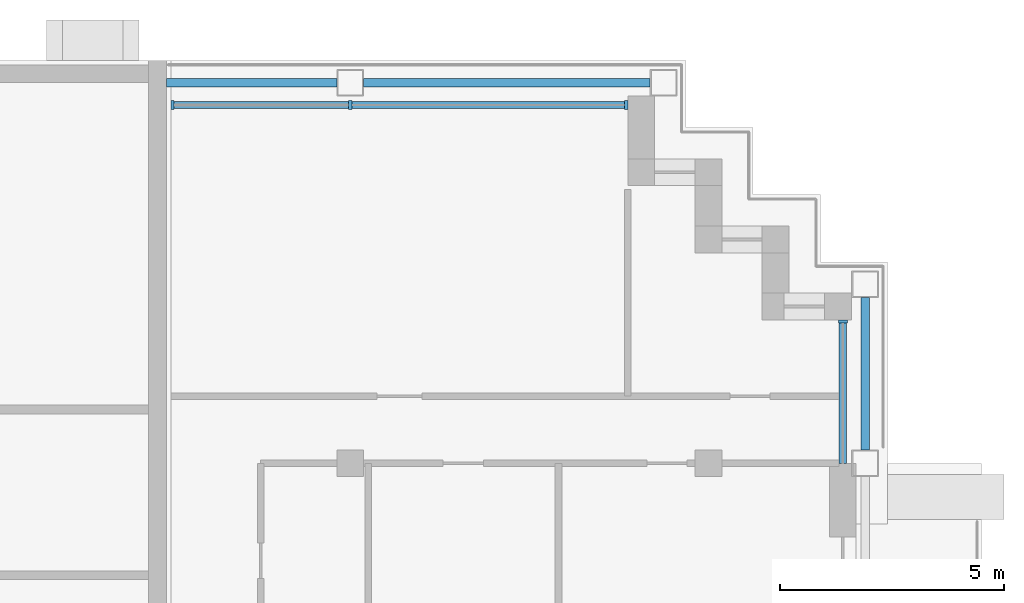
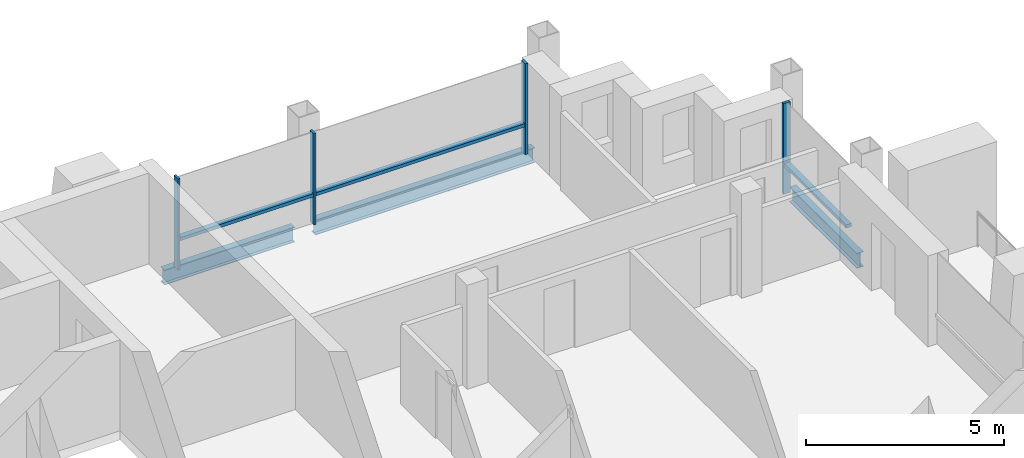
# One storey, part 5 of 15: 7 members, 3 beams, 2 elements without a shape of their own.
"""IFC4 building model written with IfcOpenShell, lengths in metres."""

from ifc_helpers import new_model, si_unit, direction, frame, origin, origin_2d, place, context, subcontext, project, spatial, rectangle, i_section, extrude, material, material_profile, profile_set, type_object, element, aggregate, save


model = new_model("IFC4")

# Units and contexts
model_context = context("Model", 3, precision=1e-05, world=origin(), true_north=direction((0.0, 1.0)))
body_context = subcontext(model_context, "Body", "Model", "MODEL_VIEW")
ifc_project = project(units=[si_unit("LENGTHUNIT", "METRE"), si_unit("AREAUNIT", "SQUARE_METRE"), si_unit("VOLUMEUNIT", "CUBIC_METRE"), si_unit("PLANEANGLEUNIT", "RADIAN"), si_unit("MASSUNIT", "GRAM", prefix="KILO")], contexts=[model_context])

# Site, building, storey
site_placement = place(None, origin())
site = spatial("IfcSite", under=ifc_project, at=site_placement, CompositionType="ELEMENT")
building_placement = place(site_placement, origin())
building = spatial("IfcBuilding", under=site, at=building_placement, Name="Vidyagriha Tower", CompositionType="ELEMENT")
storey_placement = place(building_placement, frame((0.0, 0.0, 236.39990234375)))
storey = spatial("IfcBuildingStorey", under=building, at=storey_placement, Name="L62", CompositionType="ELEMENT", Elevation=236.39990234375)

# Beams
ifc_material_1 = material(Name="Steel ASTM A992 Grade 50", Category="steel")
ifc_material_profile_1 = material_profile(ifc_material_1, i_section(OverallWidth=0.19189453125, OverallDepth=0.46240234375, WebThickness=0.010498046875, FlangeThickness=0.017578125, at=origin_2d()), Name="W18X60")
ifc_profile_set_1 = profile_set([ifc_material_profile_1], Name="Steel ASTM A992 Grade 50")
beam_type = type_object("IfcBeamType", Name="Edge beam W18X60", PredefinedType="SPANDREL", material=ifc_profile_set_1)
beam_1_placement = place(storey_placement, frame((29.5, 11.300048828125, -0.510986328125), z_axis=(0.0, 1.0, 0.0), x_axis=(-1.0, 0.0, 0.0)))
element("IfcBeam", 1, at=beam_1_placement, inside=storey, type_object=beam_type, Name="st-beam-L62-E17", PredefinedType="SPANDREL", context=body_context, shape_type="SweptSolid", body=[
    extrude(i_section(OverallWidth=0.19189453125, OverallDepth=0.46240234375, WebThickness=0.010498046875, FlangeThickness=0.017578125, at=origin_2d()), origin(), (0.0, 0.0, 1.0), 3.39990234375),
])
beam_2_placement = place(storey_placement, frame((18.300048828125, 19.5, -0.510986328125), z_axis=(1.0, 0.0, 0.0), x_axis=(0.0, 1.0, 0.0)))
element("IfcBeam", 2, at=beam_2_placement, inside=storey, type_object=beam_type, Name="st-beam-L62-NE19", PredefinedType="SPANDREL", context=body_context, shape_type="SweptSolid", body=[
    extrude(i_section(OverallWidth=0.19189453125, OverallDepth=0.46240234375, WebThickness=0.010498046875, FlangeThickness=0.017578125, at=origin_2d()), origin(), (0.0, 0.0, 1.0), 6.39990234375),
])
beam_3_placement = place(storey_placement, frame((13.89990234375, 19.5, -0.510986328125), z_axis=(1.0, 0.0, 0.0), x_axis=(0.0, 1.0, 0.0)))
element("IfcBeam", 3, at=beam_3_placement, inside=storey, type_object=beam_type, Name="st-beam-L62-NC21", PredefinedType="SPANDREL", context=body_context, shape_type="SweptSolid", body=[
    extrude(i_section(OverallWidth=0.19189453125, OverallDepth=0.46240234375, WebThickness=0.010498046875, FlangeThickness=0.017578125, at=origin_2d()), origin(), (0.0, 0.0, 1.0), 3.800048828125),
])

# Curtain wall, members
ifc_material_2 = material(Name="Aluminium and glass curtain wall", Category="aluminium")
curtain_wall_type = type_object("IfcCurtainWallType", Name="Dwelling skin unitised curtain wall", PredefinedType="USERDEFINED", material=ifc_material_2)
curtain_wall_1_placement = place(storey_placement, origin())
curtain_wall_1 = element("IfcCurtainWall", 4, at=curtain_wall_1_placement, inside=storey, type_object=curtain_wall_type, Name="CW1 dwelling skin", ObjectType="UNITISED", PredefinedType="USERDEFINED")
ifc_material_3 = material(Name="Aluminium black anodised", Category="aluminium")
ifc_material_profile_2 = material_profile(ifc_material_3, rectangle(XDim=0.199951171875, YDim=0.070068359375, at=origin_2d()), Name="Mullion 70x200 black aluminium")
ifc_profile_set_2 = profile_set([ifc_material_profile_2], Name="Aluminium black anodised")
member_type_1 = type_object("IfcMemberType", Name="Mullion 70x200 black aluminium", PredefinedType="MULLION", material=ifc_profile_set_2)
member_1_placement = place(storey_placement, frame((24.1650390625, 19.0, 0.0), z_axis=(0.0, 0.0, 1.0), x_axis=(0.0, -1.0, 0.0)))
member_1 = element("IfcMember", 5, at=member_1_placement, type_object=member_type_1, Name="CW1 mullion 1", PredefinedType="MULLION", context=body_context, shape_type="SweptSolid", body=[
    extrude(rectangle(XDim=0.199951171875, YDim=0.070068359375, at=origin_2d()), origin(), (0.0, 0.0, 1.0), 2.800048828125),
])
member_2_placement = place(storey_placement, frame((18.0, 19.0, 0.0), z_axis=(0.0, 0.0, 1.0), x_axis=(0.0, -1.0, 0.0)))
member_2 = element("IfcMember", 6, at=member_2_placement, type_object=member_type_1, Name="CW1 mullion 2", PredefinedType="MULLION", context=body_context, shape_type="SweptSolid", body=[
    extrude(rectangle(XDim=0.199951171875, YDim=0.070068359375, at=origin_2d()), origin(), (0.0, 0.0, 1.0), 2.800048828125),
])
member_3_placement = place(storey_placement, frame((14.034912109375, 19.0, 0.0), z_axis=(0.0, 0.0, 1.0), x_axis=(0.0, -1.0, 0.0)))
member_3 = element("IfcMember", 7, at=member_3_placement, type_object=member_type_1, Name="CW1 mullion 3", PredefinedType="MULLION", context=body_context, shape_type="SweptSolid", body=[
    extrude(rectangle(XDim=0.199951171875, YDim=0.070068359375, at=origin_2d()), origin(), (0.0, 0.0, 1.0), 2.800048828125),
])

# Curtain wall, member
curtain_wall_2_placement = place(storey_placement, origin())
curtain_wall_2 = element("IfcCurtainWall", 8, at=curtain_wall_2_placement, inside=storey, type_object=curtain_wall_type, Name="CW1 dwelling skin", ObjectType="UNITISED", PredefinedType="USERDEFINED")
member_4_placement = place(storey_placement, frame((29.0, 14.1650390625, 0.0), z_axis=(0.0, 0.0, 1.0), x_axis=(-1.0, 0.0, 0.0)))
member_4 = element("IfcMember", 9, at=member_4_placement, type_object=member_type_1, Name="CW1 mullion 2", PredefinedType="MULLION", context=body_context, shape_type="SweptSolid", body=[
    extrude(rectangle(XDim=0.199951171875, YDim=0.070068359375, at=origin_2d()), origin(), (0.0, 0.0, 1.0), 2.800048828125),
])

# Member
ifc_material_4 = material(Name="Aluminium black anodised", Category="aluminium")
ifc_material_profile_3 = material_profile(ifc_material_4, rectangle(XDim=0.159912109375, YDim=0.10009765625, at=origin_2d()), Name="Transom 100x160 black aluminium")
ifc_profile_set_3 = profile_set([ifc_material_profile_3], Name="Aluminium black anodised")
member_type_2 = type_object("IfcMemberType", Name="Transom 100x160 black aluminium", PredefinedType="USERDEFINED", material=ifc_profile_set_3)
member_5_placement = place(storey_placement, frame((24.1298828125, 19.0, 0.900146484375), z_axis=(-1.0, 0.0, 0.0), x_axis=(0.0, -1.0, 0.0)))
member_5 = element("IfcMember", 10, at=member_5_placement, type_object=member_type_2, Name="CW1 transom 1.1", ObjectType="TRANSOM", PredefinedType="USERDEFINED", context=body_context, shape_type="SweptSolid", body=[
    extrude(rectangle(XDim=0.159912109375, YDim=0.10009765625, at=origin_2d()), origin(), (0.0, 0.0, 1.0), 6.094970703125),
])

member_6_placement = place(storey_placement, frame((17.965087890625, 19.0, 0.900146484375), z_axis=(-1.0, 0.0, 0.0), x_axis=(0.0, -1.0, 0.0)))
member_6 = element("IfcMember", 11, at=member_6_placement, type_object=member_type_2, Name="CW1 transom 2.1", ObjectType="TRANSOM", PredefinedType="USERDEFINED", context=body_context, shape_type="SweptSolid", body=[
    extrude(rectangle(XDim=0.159912109375, YDim=0.10009765625, at=origin_2d()), origin(), (0.0, 0.0, 1.0), 3.89501953125),
])

aggregate(curtain_wall_1, [member_1, member_2, member_3, member_5, member_6])

member_7_placement = place(storey_placement, frame((29.0, 11.0, 0.900146484375), z_axis=(0.0, 1.0, 0.0), x_axis=(-1.0, 0.0, 0.0)))
member_7 = element("IfcMember", 12, at=member_7_placement, type_object=member_type_2, Name="CW1 transom 1.1", ObjectType="TRANSOM", PredefinedType="USERDEFINED", context=body_context, shape_type="SweptSolid", body=[
    extrude(rectangle(XDim=0.159912109375, YDim=0.10009765625, at=origin_2d()), origin(), (0.0, 0.0, 1.0), 3.1298828125),
])

aggregate(curtain_wall_2, [member_4, member_7])

save(model, "model.ifc")
